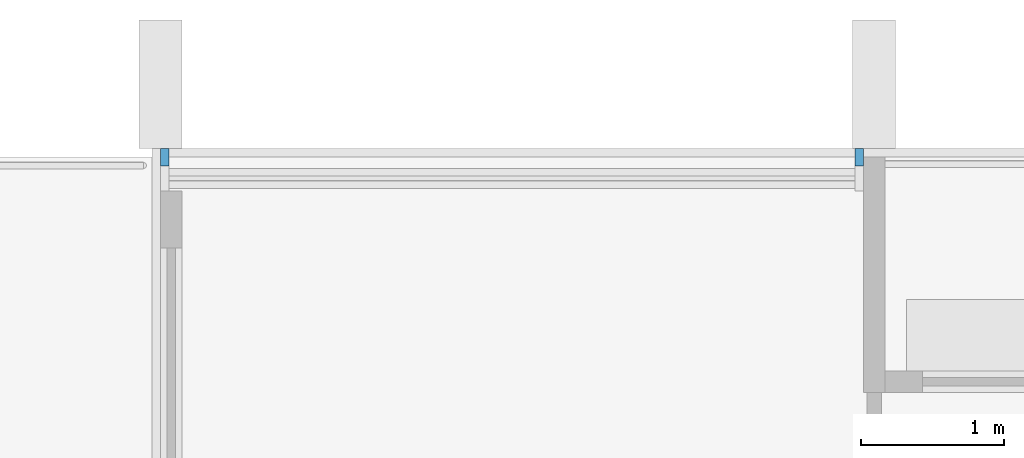
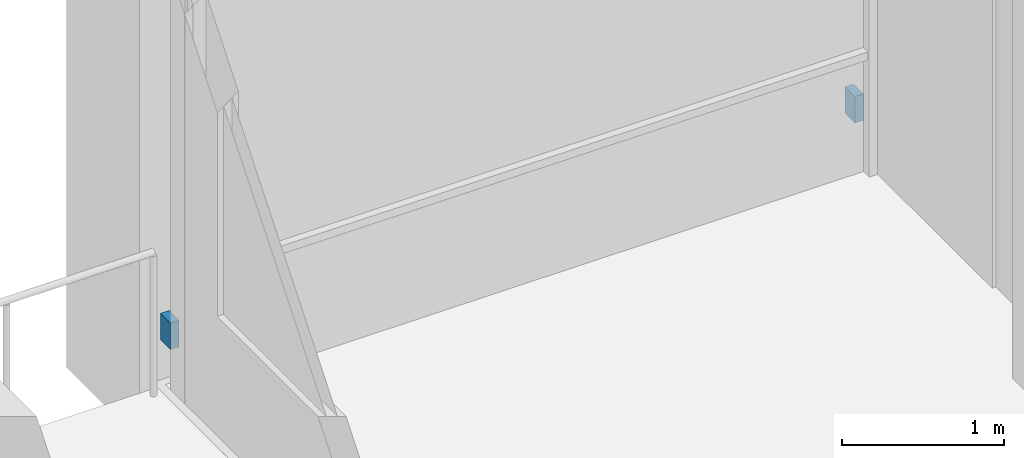
# One storey, part 15 of 18: 2 discrete accessories.
"""IFC4 building model written with IfcOpenShell, lengths in metres."""

import ifcopenshell
import ifcopenshell.guid

model = None  # the IFC model being written
_history = None  # IfcOwnerHistory: only IFC2X3 demands one
_inside = {}  # id of a spatial element -> (the spatial element, [elements in it])
_under = {}  # id of a project, library or spatial element -> (it, [spatial elements below it])
_declared = {}  # id of a project -> (the project, [libraries it declares])
_typed = {}  # id of a type object -> (the type object, [elements of that type])
_made_of = {}  # id of a material, layer set ... -> (it, [elements and type objects made of it])


def new_model(schema):
    """Start an empty IFC model of exactly this schema.

    Asked for "IFC4X3", IfcOpenShell would pick the latest addendum, in which some entities
    have other attributes; the version numbers below select the first issue.
    IFC2X3 requires an IfcOwnerHistory on every rooted entity: one is made here for all.
    """
    global model, _history
    if schema == "IFC4X3":
        model = ifcopenshell.file(schema_version=(4, 3, 0, 0))
    else:
        model = ifcopenshell.file(schema=schema)
    _inside.clear()
    _under.clear()
    _declared.clear()
    _typed.clear()
    _made_of.clear()
    _history = None
    if model.schema == "IFC2X3":
        org = make("IfcOrganization", Name="unknown")
        user = make(
            "IfcPersonAndOrganization",
            ThePerson=make("IfcPerson", FamilyName="unknown"),
            TheOrganization=org,
        )
        app = make(
            "IfcApplication",
            ApplicationDeveloper=org,
            Version="unknown",
            ApplicationFullName="unknown",
            ApplicationIdentifier="unknown",
        )
        _history = make(
            "IfcOwnerHistory",
            OwningUser=user,
            OwningApplication=app,
            ChangeAction="ADDED",
            CreationDate=0,
        )
    return model


def make(cls, **values):
    """One entity of the class cls with the attributes given. An attribute that is None is left unset."""
    return model.create_entity(
        cls, **{name: value for name, value in values.items() if value is not None}
    )


def rooted(cls, **values):
    """An entity with a GlobalId (a new one), such as an element, a storey or a relation."""
    return make(cls, GlobalId=ifcopenshell.guid.new(), OwnerHistory=_history, **values)


def si_unit(unit_type, name, prefix=None):
    """IfcSIUnit, for example si_unit("LENGTHUNIT", "METRE", prefix="MILLI")."""
    return make("IfcSIUnit", UnitType=unit_type, Prefix=prefix, Name=name)


def assignment(units):
    """IfcUnitAssignment: the units of a project."""
    return None if units is None else make("IfcUnitAssignment", Units=units)


def point(xyz):
    """IfcCartesianPoint."""
    return None if xyz is None else make("IfcCartesianPoint", Coordinates=xyz)


def direction(xyz):
    """IfcDirection."""
    return None if xyz is None else make("IfcDirection", DirectionRatios=xyz)


def frame(location, z_axis=None, x_axis=None):
    """IfcAxis2Placement3D, a coordinate frame: its origin and axes. An axis left out is left unset."""
    return make(
        "IfcAxis2Placement3D",
        Location=point(location),
        Axis=direction(z_axis),
        RefDirection=direction(x_axis),
    )


def frame_2d(location, x_axis=None):
    """IfcAxis2Placement2D, a coordinate frame in the plane: its origin and x axis."""
    return make(
        "IfcAxis2Placement2D", Location=point(location), RefDirection=direction(x_axis)
    )


def origin():
    """The frame at (0, 0, 0) with its axes left unset."""
    return frame((0.0, 0.0, 0.0))


def origin_2d():
    """The frame at (0, 0) in the plane with its x axis left unset."""
    return frame_2d((0.0, 0.0))


def place(relative_to, where):
    """IfcLocalPlacement: puts the frame where relative to a parent placement (None: the world)."""
    return make(
        "IfcLocalPlacement", PlacementRelTo=relative_to, RelativePlacement=where
    )


def context(
    kind, dimensions, precision=None, world=None, true_north=None, identifier=None
):
    """IfcGeometricRepresentationContext, for example the 3D "Model" context."""
    return make(
        "IfcGeometricRepresentationContext",
        ContextIdentifier=identifier,
        ContextType=kind,
        CoordinateSpaceDimension=dimensions,
        Precision=precision,
        WorldCoordinateSystem=world,
        TrueNorth=true_north,
    )


def subcontext(parent, identifier, kind, view, scale=None):
    """IfcGeometricRepresentationSubContext, for example "Body" below "Model"."""
    return make(
        "IfcGeometricRepresentationSubContext",
        ContextIdentifier=identifier,
        ContextType=kind,
        ParentContext=parent,
        TargetScale=scale,
        TargetView=view,
    )


def project(units=None, contexts=None):
    """IfcProject with its units and contexts."""
    return rooted(
        "IfcProject",
        Name="project",
        RepresentationContexts=contexts,
        UnitsInContext=assignment(units),
    )


def spatial(cls, under=None, at=None, **own):
    """A site, building, storey or space (cls), placed at a placement, below another one or the project."""
    s = rooted(cls, ObjectPlacement=at, **own)
    if under is not None:
        _under.setdefault(under.id(), (under, []))[1].append(s)
    return s


def profile(cls, at=None, kind="AREA", **sizes):
    """A parametric profile (cls). Its sizes go by their IFC names, for example OverallWidth=200.0."""
    return make(cls, ProfileType=kind, Position=at, **sizes)


def rectangle(**sizes):
    """IfcRectangleProfileDef."""
    return profile("IfcRectangleProfileDef", **sizes)


def extrude(swept, where, along, depth):
    """IfcExtrudedAreaSolid: the profile swept, set in the frame where, extruded along a direction by depth."""
    return make(
        "IfcExtrudedAreaSolid",
        SweptArea=swept,
        Position=where,
        ExtrudedDirection=direction(along),
        Depth=depth,
    )


def shape(context_of_items, identifier, shape_type, items):
    """IfcShapeRepresentation: the items that make up one representation, for example the "Body"."""
    return make(
        "IfcShapeRepresentation",
        ContextOfItems=context_of_items,
        RepresentationIdentifier=identifier,
        RepresentationType=shape_type,
        Items=items,
    )


def material(Name=None, Category=None):
    """IfcMaterial."""
    return make("IfcMaterial", Name=Name, Category=Category)


def made_of(thing, what):
    """Note that an element or type object is made of a material, layer set ...; save() writes the relation."""
    if what is not None:
        _made_of.setdefault(what.id(), (what, []))[1].append(thing)
    return thing


def type_object(cls, material=None, **own):
    """A type object (cls), such as IfcWallType, which elements share."""
    return made_of(rooted(cls, **own), material)


def element(
    cls,
    number,
    at=None,
    inside=None,
    cuts=None,
    type_object=None,
    material=None,
    context=None,
    identifier="Body",
    shape_type=None,
    held_by="IfcProductDefinitionShape",
    body=None,
    shapes=None,
    **own,
):
    """One element of the class cls, such as IfcWall. Its Tag is "e" and its number.

    at: its placement. inside: the storey or other place that contains it. cuts: it is an
    opening in that element (IfcRelVoidsElement). A single representation is given by context,
    identifier, shape_type and body (its items); several are given by shapes. held_by: the class
    of the entity that holds the representations. save() writes the other relations.
    """
    e = rooted(cls, Tag="e%d" % number, ObjectPlacement=at, **own)
    if body is not None:
        shapes = [shape(context, identifier, shape_type, body)]
    if shapes is not None:
        e.Representation = make(held_by, Representations=shapes)
    if inside is not None:
        _inside.setdefault(inside.id(), (inside, []))[1].append(e)
    if cuts is not None:
        rooted(
            "IfcRelVoidsElement", RelatingBuildingElement=cuts, RelatedOpeningElement=e
        )
    if type_object is not None:
        _typed.setdefault(type_object.id(), (type_object, []))[1].append(e)
    return made_of(e, material)


def aggregate(whole, parts):
    """IfcRelAggregates: a whole, such as a stair, and the parts it consists of."""
    return rooted("IfcRelAggregates", RelatingObject=whole, RelatedObjects=parts)


def save(model, path):
    """Write the relations noted so far, then the file.

    IfcRelAggregates (storeys below a building ...), IfcRelContainedInSpatialStructure (elements
    in a storey), IfcRelDefinesByType, IfcRelAssociatesMaterial and IfcRelDeclares: one each for
    every whole, place, type object, material and project.
    """
    for whole, parts in _under.values():
        aggregate(whole, parts)
    for where, things in _inside.values():
        rooted(
            "IfcRelContainedInSpatialStructure",
            RelatedElements=things,
            RelatingStructure=where,
        )
    for kind, things in _typed.values():
        rooted("IfcRelDefinesByType", RelatedObjects=things, RelatingType=kind)
    for what, things in _made_of.values():
        rooted("IfcRelAssociatesMaterial", RelatedObjects=things, RelatingMaterial=what)
    for by, libraries in _declared.values():
        rooted("IfcRelDeclares", RelatingContext=by, RelatedDefinitions=libraries)
    model.write(path)


model = new_model("IFC4")

# Units and contexts
model_context = context("Model", 3, precision=1e-05, world=origin(), true_north=direction((0.0, 1.0)))
body_context = subcontext(model_context, "Body", "Model", "MODEL_VIEW")
ifc_project = project(units=[si_unit("LENGTHUNIT", "METRE"), si_unit("AREAUNIT", "SQUARE_METRE"), si_unit("VOLUMEUNIT", "CUBIC_METRE"), si_unit("PLANEANGLEUNIT", "RADIAN"), si_unit("MASSUNIT", "GRAM", prefix="KILO")], contexts=[model_context])

# Site, building, storey
site_placement = place(None, origin())
site = spatial("IfcSite", under=ifc_project, at=site_placement, CompositionType="ELEMENT")
building_placement = place(site_placement, origin())
building = spatial("IfcBuilding", under=site, at=building_placement, Name="Finial Court Residences", CompositionType="ELEMENT")
storey_placement = place(building_placement, frame((0.0, 0.0, 149.300048828125)))
storey = spatial("IfcBuildingStorey", under=building, at=storey_placement, Name="L36", CompositionType="ELEMENT", Elevation=149.300048828125)

# Discrete accessories
ifc_material = material(Name="Stainless steel 316", Category="steel")
discrete_accessory_type = type_object("IfcDiscreteAccessoryType", Name="Fin bracket, stainless steel 60 x 122 x 200", PredefinedType="BRACKET", material=ifc_material)
for number, where, z_axis, x_axis, name in (
    (1, (-15.469970703125, 22.498779296875, 0.2998046875), (0.0, 0.0, 1.0), (1.0, 0.0, 0.0), "E-L36-FIN-N1-BRK"),
    (2, (-10.60498046875, 22.498779296875, 0.2998046875), (0.0, 0.0, 1.0), (1.0, 0.0, 0.0), "E-L36-FIN-N2-BRK"),
):
    element("IfcDiscreteAccessory", number, at=place(storey_placement, frame(where, z_axis=z_axis, x_axis=x_axis)), inside=storey, type_object=discrete_accessory_type, Name=name, PredefinedType="BRACKET", context=body_context, shape_type="SweptSolid", body=[
        extrude(rectangle(XDim=0.06005859375, YDim=0.12255859375, at=origin_2d()), origin(), (0.0, 0.0, 1.0), 0.199951171875),
    ])

save(model, "model.ifc")
